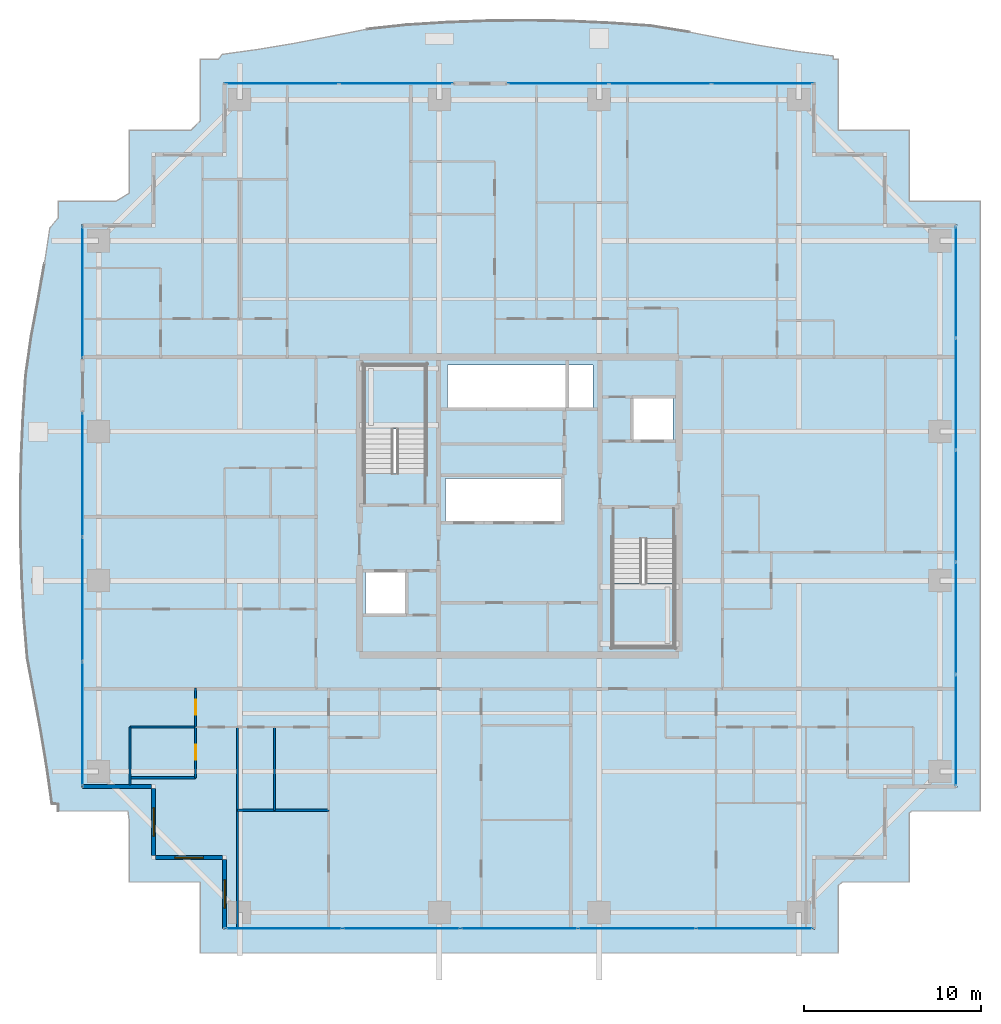
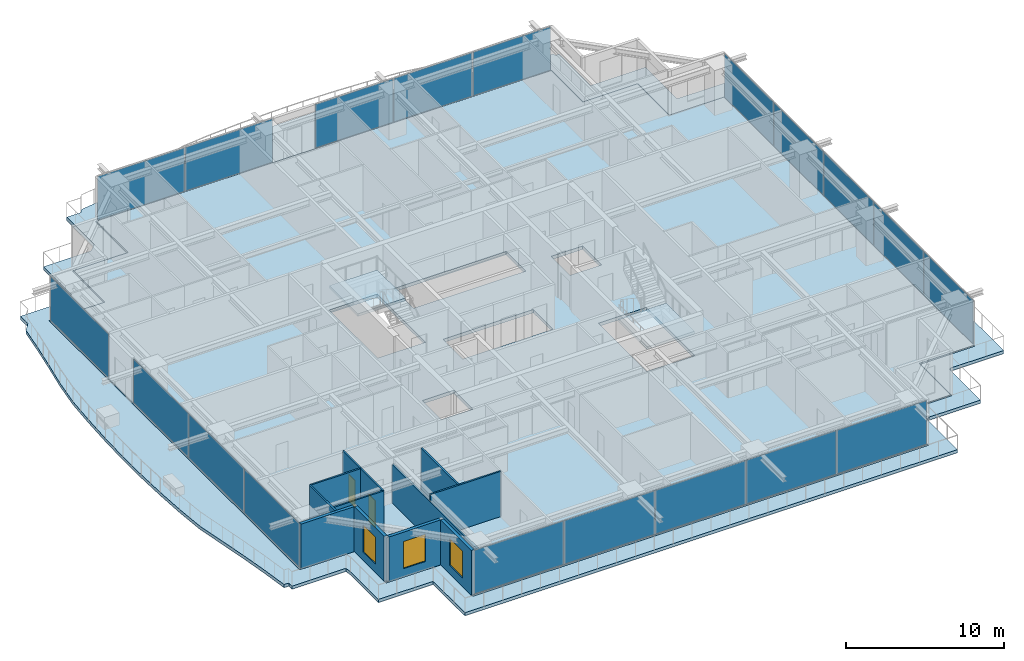
# One storey, part 25 of 37: 19 plates, 12 walls, 4 slabs, 3 windows, 2 doors, 5 openings, 8 elements without a shape of their own.
"""IFC4 building model written with IfcOpenShell, lengths in metres."""

from ifc_helpers import new_model, si_unit, direction, frame, frame_2d, origin, origin_2d, place, context, subcontext, project, spatial, polyline, rectangle, outline, extrude, source, transform, mapped, material, layer, layer_set, type_object, element, fill, aggregate, save


model = new_model("IFC4")

# Units and contexts
model_context = context("Model", 3, precision=1e-05, world=origin(), true_north=direction((0.0, 1.0)))
body_context = subcontext(model_context, "Body", "Model", "MODEL_VIEW")
ifc_project = project(units=[si_unit("LENGTHUNIT", "METRE"), si_unit("AREAUNIT", "SQUARE_METRE"), si_unit("VOLUMEUNIT", "CUBIC_METRE"), si_unit("PLANEANGLEUNIT", "RADIAN"), si_unit("MASSUNIT", "GRAM", prefix="KILO")], contexts=[model_context])

# Site, building, storey
site_placement = place(None, origin())
site = spatial("IfcSite", under=ifc_project, at=site_placement, CompositionType="ELEMENT")
building_placement = place(site_placement, origin())
building = spatial("IfcBuilding", under=site, at=building_placement, Name="Serunith Strait Residences", CompositionType="ELEMENT")
storey_placement = place(building_placement, frame((0.0, 0.0, 153.89990234375)))
storey = spatial("IfcBuildingStorey", under=building, at=storey_placement, Name="L38", CompositionType="ELEMENT", Elevation=153.89990234375)

# Slab
ifc_material_1 = material(Name="Concrete C50/60", Category="concrete")
ifc_layer_1 = layer(ifc_material_1, 0.239990234375, Name="Concrete C50/60")
ifc_layer_set_1 = layer_set([ifc_layer_1], Name="Concrete C50/60")
slab_type_1 = type_object("IfcSlabType", Name="SLB-BALC-240", PredefinedType="FLOOR", material=ifc_layer_set_1)
slab_1_placement = place(storey_placement, frame((0.0, 0.0, -0.289794921875)))
element("IfcSlab", 1, at=slab_1_placement, inside=storey, type_object=slab_type_1, Name="L38 Planted Vertical-Forest Balcony Slab", PredefinedType="FLOOR", context=body_context, shape_type="SweptSolid", body=[
    extrude(outline(polyline([(6.419921875, 8.02001953125), (6.419921875, 8.413330078125), (6.072998046875, 8.433349609375), (5.79248046875, 10.43603515625), (5.458740234375, 12.45947265625), (5.081298828125, 14.5205078125), (4.684326171875, 16.637451171875), (4.4951171875, 18.86669921875), (4.375, 21.13671875), (4.306396484375, 23.429931640625), (4.2958984375, 25.733154296875), (4.34423828125, 28.0322265625), (4.44677734375, 30.3134765625), (4.593994140625, 32.56591796875), (4.900390625, 34.7392578125), (5.29150390625, 36.82568359375), (5.6484375, 38.86572265625), (5.954833984375, 40.877197265625), (6.419921875, 41.42431640625), (6.419921875, 42.3798828125), (9.683349609375, 42.3798828125), (10.419921875, 42.821533203125), (10.419921875, 46.3798828125), (13.89599609375, 46.3798828125), (14.419921875, 46.88330078125), (14.419921875, 50.3798828125), (15.455810546875, 50.3798828125), (15.648193359375, 50.648681640625), (17.6455078125, 50.926025390625), (19.660400390625, 51.26318359375), (21.711181640625, 51.6533203125), (23.818603515625, 52.072998046875), (26.03955078125, 52.312255859375), (28.315673828125, 52.4541015625), (30.619384765625, 52.541259765625), (32.9365234375, 52.564697265625), (35.250732421875, 52.521728515625), (37.546142578125, 52.4169921875), (39.8095703125, 52.26123046875), (41.976318359375, 51.9091796875), (44.057373046875, 51.498291015625), (46.09033203125, 51.128173828125), (48.095458984375, 50.81494140625), (50.089111328125, 50.561279296875), (50.08740234375, 50.3798828125), (50.3798828125, 50.3798828125), (50.3798828125, 46.3798828125), (54.3798828125, 46.3798828125), (54.3798828125, 42.3798828125), (58.3798828125, 42.3798828125), (58.3798828125, 8.02001953125), (54.51513671875, 8.02001953125), (54.3798828125, 7.921875), (54.3798828125, 4.02001953125), (50.601806640625, 4.02001953125), (50.3798828125, 3.8408203125), (50.3798828125, 0.02001953125), (14.419921875, 0.02001953125), (14.419921875, 4.02001953125), (10.419921875, 4.02001953125), (10.419921875, 7.54443359375), (10.349365234375, 8.02001953125), (6.419921875, 8.02001953125)]), holes=[polyline([(49.054931640625, 1.344970703125), (49.054931640625, 5.344970703125), (53.054931640625, 5.344970703125), (53.054931640625, 9.344970703125), (57.054931640625, 9.344970703125), (57.054931640625, 41.054931640625), (53.054931640625, 41.054931640625), (53.054931640625, 45.054931640625), (49.054931640625, 45.054931640625), (49.054931640625, 49.054931640625), (15.7451171875, 49.054931640625), (15.7451171875, 45.054931640625), (11.7451171875, 45.054931640625), (11.7451171875, 41.054931640625), (7.7451171875, 41.054931640625), (7.7451171875, 9.344970703125), (11.7451171875, 9.344970703125), (11.7451171875, 5.344970703125), (15.7451171875, 5.344970703125), (15.7451171875, 1.344970703125), (49.054931640625, 1.344970703125)])]), origin(), (0.0, 0.0, 1.0), 0.239990234375),
])

# Stair, slab
stair_type_1 = type_object("IfcStairType", Name="STR-CORE-1", PredefinedType="HALF_TURN_STAIR", material=ifc_material_1)
stair_1_placement = place(storey_placement, origin())
stair_1 = element("IfcStair", 2, at=stair_1_placement, inside=storey, type_object=stair_type_1, Name="L38 Protected Escape Stair ST-1", PredefinedType="HALF_TURN_STAIR")
ifc_layer_2 = layer(ifc_material_1, 0.199951171875, Name="Concrete C50/60")
ifc_layer_set_2 = layer_set([ifc_layer_2], Name="Concrete C50/60")
slab_type_2 = type_object("IfcSlabType", Name="SLB-LAND-200", PredefinedType="LANDING", material=ifc_layer_set_2)
slab_2_placement = place(storey_placement, frame((0.0, 0.0, 1.675048828125)))
slab_2 = element("IfcSlab", 3, at=slab_2_placement, type_object=slab_type_2, Name="ST-1 landing 1", PredefinedType="LANDING", context=body_context, shape_type="SweptSolid", body=[
    extrude(outline(polyline([(27.14990234375, 29.550048828125), (27.14990234375, 33.14990234375), (23.64990234375, 33.14990234375), (23.64990234375, 29.550048828125), (27.14990234375, 29.550048828125)])), origin(), (0.0, 0.0, 1.0), 0.199951171875),
])
aggregate(stair_1, [slab_2])

stair_type_2 = type_object("IfcStairType", Name="STR-CORE-2", PredefinedType="HALF_TURN_STAIR", material=ifc_material_1)
stair_2_placement = place(storey_placement, origin())
stair_2 = element("IfcStair", 4, at=stair_2_placement, inside=storey, type_object=stair_type_2, Name="L38 Protected Escape Stair ST-2", PredefinedType="HALF_TURN_STAIR")
slab_3_placement = place(storey_placement, frame((0.0, 0.0, 1.675048828125)))
slab_3 = element("IfcSlab", 5, at=slab_3_placement, type_object=slab_type_2, Name="ST-2 landing 1", PredefinedType="LANDING", context=body_context, shape_type="SweptSolid", body=[
    extrude(outline(polyline([(37.64990234375, 20.85009765625), (37.64990234375, 17.25), (41.14990234375, 17.25), (41.14990234375, 20.85009765625), (37.64990234375, 20.85009765625)])), origin(), (0.0, 0.0, 1.0), 0.199951171875),
])
aggregate(stair_2, [slab_3])

# Slab
ifc_material_2 = material(Name="Concrete C60/75", Category="concrete")
ifc_layer_3 = layer(ifc_material_2, 0.260009765625, Name="Concrete C60/75")
ifc_layer_set_3 = layer_set([ifc_layer_3], Name="Concrete C60/75")
slab_type_3 = type_object("IfcSlabType", Name="SLB-TWR-260-Z2", PredefinedType="FLOOR", material=ifc_layer_set_3)
slab_4_placement = place(storey_placement, frame((0.0, 0.0, -0.260009765625)))
element("IfcSlab", 6, at=slab_4_placement, inside=storey, type_object=slab_type_3, Name="L38 Structural Floor Plate", PredefinedType="FLOOR", context=body_context, shape_type="SweptSolid", body=[
    extrude(outline(polyline([(15.800048828125, 5.39990234375), (11.800048828125, 5.39990234375), (11.800048828125, 9.39990234375), (7.800048828125, 9.39990234375), (7.800048828125, 41.0), (11.800048828125, 41.0), (11.800048828125, 45.0), (15.800048828125, 45.0), (15.800048828125, 49.0), (49.0, 49.0), (49.0, 45.0), (53.0, 45.0), (53.0, 41.0), (57.0, 41.0), (57.0, 9.39990234375), (53.0, 9.39990234375), (53.0, 5.39990234375), (49.0, 5.39990234375), (49.0, 1.39990234375), (15.800048828125, 1.39990234375), (15.800048828125, 5.39990234375)]), holes=[polyline([(41.14990234375, 23.3701171875), (37.64990234375, 23.3701171875), (37.64990234375, 17.25), (41.14990234375, 17.25), (41.14990234375, 23.3701171875)]), polyline([(38.75, 31.25), (38.75, 28.85009765625), (41.050048828125, 28.85009765625), (41.050048828125, 31.25), (38.75, 31.25)]), polyline([(36.550048828125, 33.14990234375), (28.35009765625, 33.14990234375), (28.35009765625, 30.64990234375), (36.550048828125, 30.64990234375), (36.550048828125, 33.14990234375)]), polyline([(34.85009765625, 26.75), (28.25, 26.75), (28.25, 24.25), (34.85009765625, 24.25), (34.85009765625, 26.75)]), polyline([(23.64990234375, 33.14990234375), (23.64990234375, 27.030029296875), (27.14990234375, 27.030029296875), (27.14990234375, 33.14990234375), (23.64990234375, 33.14990234375)]), polyline([(26.050048828125, 21.550048828125), (23.75, 21.550048828125), (23.75, 19.14990234375), (26.050048828125, 19.14990234375), (26.050048828125, 21.550048828125)])]), origin(), (0.0, 0.0, 1.0), 0.260009765625),
])

# Curtain wall, plates
ifc_material_3 = material(Name="Pale-Champagne Anodised Aluminium", Category="aluminium")
ifc_layer_4 = layer(ifc_material_3, 0.199951171875, Name="Pale-Champagne Anodised Aluminium")
ifc_layer_set_4 = layer_set([ifc_layer_4], Name="Pale-Champagne Anodised Aluminium")
curtain_wall_type = type_object("IfcCurtainWallType", Name="CW-SYS2", PredefinedType="NOTDEFINED", material=ifc_layer_set_4)
curtain_wall_1_placement = place(storey_placement, origin())
curtain_wall_1 = element("IfcCurtainWall", 7, at=curtain_wall_1_placement, inside=storey, type_object=curtain_wall_type, Name="L38 S Unitised Fritted Curtain Wall", PredefinedType="NOTDEFINED")
ifc_material_4 = material(Name="Diagonal-Frit Operable Low-E Glazing 30mm", Category="glass")
ifc_layer_5 = layer(ifc_material_4, 0.030029296875, Name="Diagonal-Frit Operable Low-E Glazing 30mm")
ifc_layer_set_5 = layer_set([ifc_layer_5], Name="Diagonal-Frit Operable Low-E Glazing 30mm")
plate_type = type_object("IfcPlateType", Name="CW-SYS2-PNL", PredefinedType="CURTAIN_PANEL", material=ifc_layer_set_5)
shared_shape_1 = source(origin(), body_context, "Body", "SweptSolid", [
    extrude(rectangle(XDim=6.534912109375, YDim=0.030029296875, at=origin_2d()), origin(), (0.0, 0.0, 1.0), 3.35498046875),
])
plate_1_placement = place(storey_placement, frame((19.137451171875, 1.39990234375, 0.06005859375), z_axis=(0.0, 0.0, 1.0), x_axis=(1.0, 0.0, 0.0)))
plate_1 = element("IfcPlate", 8, at=plate_1_placement, type_object=plate_type, Name="CW-2 panel 1.1", PredefinedType="CURTAIN_PANEL", context=body_context, shape_type="MappedRepresentation", body=[
    mapped(shared_shape_1, transform((0.0, 0.0, 0.0), scale=1.0)),
])
plate_2_placement = place(storey_placement, frame((45.66259765625, 1.39990234375, 0.06005859375), z_axis=(0.0, 0.0, 1.0), x_axis=(1.0, 0.0, 0.0)))
plate_2 = element("IfcPlate", 9, at=plate_2_placement, type_object=plate_type, Name="CW-2 panel 5.1", PredefinedType="CURTAIN_PANEL", context=body_context, shape_type="MappedRepresentation", body=[
    mapped(shared_shape_1, transform((0.0, 0.0, 0.0), scale=1.0)),
])
shared_shape_2 = source(origin(), body_context, "Body", "SweptSolid", [
    extrude(rectangle(XDim=6.570068359375, YDim=0.030029296875, at=origin_2d()), origin(), (0.0, 0.0, 1.0), 3.35498046875),
])
plate_3_placement = place(storey_placement, frame((25.760009765625, 1.39990234375, 0.06005859375), z_axis=(0.0, 0.0, 1.0), x_axis=(1.0, 0.0, 0.0)))
plate_3 = element("IfcPlate", 10, at=plate_3_placement, type_object=plate_type, Name="CW-2 panel 2.1", PredefinedType="CURTAIN_PANEL", context=body_context, shape_type="MappedRepresentation", body=[
    mapped(shared_shape_2, transform((0.0, 0.0, 0.0), scale=1.0)),
])
plate_4_placement = place(storey_placement, frame((32.39990234375, 1.39990234375, 0.06005859375), z_axis=(0.0, 0.0, 1.0), x_axis=(1.0, 0.0, 0.0)))
plate_4 = element("IfcPlate", 11, at=plate_4_placement, type_object=plate_type, Name="CW-2 panel 3.1", PredefinedType="CURTAIN_PANEL", context=body_context, shape_type="MappedRepresentation", body=[
    mapped(shared_shape_2, transform((0.0, 0.0, 0.0), scale=1.0)),
])
plate_5_placement = place(storey_placement, frame((39.0400390625, 1.39990234375, 0.06005859375), z_axis=(0.0, 0.0, 1.0), x_axis=(1.0, 0.0, 0.0)))
plate_5 = element("IfcPlate", 12, at=plate_5_placement, type_object=plate_type, Name="CW-2 panel 4.1", PredefinedType="CURTAIN_PANEL", context=body_context, shape_type="MappedRepresentation", body=[
    mapped(shared_shape_2, transform((0.0, 0.0, 0.0), scale=1.0)),
])
aggregate(curtain_wall_1, [plate_1, plate_3, plate_4, plate_5, plate_2])

curtain_wall_2_placement = place(storey_placement, origin())
curtain_wall_2 = element("IfcCurtainWall", 13, at=curtain_wall_2_placement, inside=storey, type_object=curtain_wall_type, Name="L38 E Unitised Fritted Curtain Wall", PredefinedType="NOTDEFINED")
shared_shape_3 = source(origin(), body_context, "Body", "SweptSolid", [
    extrude(rectangle(XDim=6.215087890625, YDim=0.030029296875, at=origin_2d()), origin(), (0.0, 0.0, 1.0), 3.35498046875),
])
plate_6_placement = place(storey_placement, frame((57.0, 12.577392578125, 0.06005859375), z_axis=(0.0, 0.0, 1.0), x_axis=(0.0, 1.0, 0.0)))
plate_6 = element("IfcPlate", 14, at=plate_6_placement, type_object=plate_type, Name="CW-2 panel 1.1", PredefinedType="CURTAIN_PANEL", context=body_context, shape_type="MappedRepresentation", body=[
    mapped(shared_shape_3, transform((0.0, 0.0, 0.0), scale=1.0)),
])
plate_7_placement = place(storey_placement, frame((57.0, 37.822509765625, 0.06005859375), z_axis=(0.0, 0.0, 1.0), x_axis=(0.0, 1.0, 0.0)))
plate_7 = element("IfcPlate", 15, at=plate_7_placement, type_object=plate_type, Name="CW-2 panel 5.1", PredefinedType="CURTAIN_PANEL", context=body_context, shape_type="MappedRepresentation", body=[
    mapped(shared_shape_3, transform((0.0, 0.0, 0.0), scale=1.0)),
])
shared_shape_4 = source(origin(), body_context, "Body", "SweptSolid", [
    extrude(rectangle(XDim=6.25, YDim=0.030029296875, at=origin_2d()), origin(), (0.0, 0.0, 1.0), 3.35498046875),
])
plate_8_placement = place(storey_placement, frame((57.0, 18.8798828125, 0.06005859375), z_axis=(0.0, 0.0, 1.0), x_axis=(0.0, 1.0, 0.0)))
plate_8 = element("IfcPlate", 16, at=plate_8_placement, type_object=plate_type, Name="CW-2 panel 2.1", PredefinedType="CURTAIN_PANEL", context=body_context, shape_type="MappedRepresentation", body=[
    mapped(shared_shape_4, transform((0.0, 0.0, 0.0), scale=1.0)),
])
plate_9_placement = place(storey_placement, frame((57.0, 25.199951171875, 0.06005859375), z_axis=(0.0, 0.0, 1.0), x_axis=(0.0, 1.0, 0.0)))
plate_9 = element("IfcPlate", 17, at=plate_9_placement, type_object=plate_type, Name="CW-2 panel 3.1", PredefinedType="CURTAIN_PANEL", context=body_context, shape_type="MappedRepresentation", body=[
    mapped(shared_shape_4, transform((0.0, 0.0, 0.0), scale=1.0)),
])
plate_10_placement = place(storey_placement, frame((57.0, 31.52001953125, 0.06005859375), z_axis=(0.0, 0.0, 1.0), x_axis=(0.0, 1.0, 0.0)))
plate_10 = element("IfcPlate", 18, at=plate_10_placement, type_object=plate_type, Name="CW-2 panel 4.1", PredefinedType="CURTAIN_PANEL", context=body_context, shape_type="MappedRepresentation", body=[
    mapped(shared_shape_4, transform((0.0, 0.0, 0.0), scale=1.0)),
])
aggregate(curtain_wall_2, [plate_6, plate_8, plate_9, plate_10, plate_7])

curtain_wall_3_placement = place(storey_placement, origin())
curtain_wall_3 = element("IfcCurtainWall", 19, at=curtain_wall_3_placement, inside=storey, type_object=curtain_wall_type, Name="L38 N Unitised Fritted Curtain Wall", PredefinedType="NOTDEFINED")
shared_shape_5 = source(origin(), body_context, "Body", "SweptSolid", [
    extrude(rectangle(XDim=5.66162109375, YDim=0.030029296875, at=origin_2d()), origin(), (0.0, 0.0, 1.0), 3.35498046875),
])
plate_11_placement = place(storey_placement, frame((46.09912109375, 49.0, 0.06005859375), z_axis=(0.0, 0.0, 1.0), x_axis=(-1.0, 0.0, 0.0)))
plate_11 = element("IfcPlate", 20, at=plate_11_placement, type_object=plate_type, Name="CW-2 panel 1.1", PredefinedType="CURTAIN_PANEL", context=body_context, shape_type="MappedRepresentation", body=[
    mapped(shared_shape_5, transform((0.0, 0.0, 0.0), scale=1.0)),
])
plate_12_placement = place(storey_placement, frame((34.600830078125, 49.0, 0.06005859375), z_axis=(0.0, 0.0, 1.0), x_axis=(-1.0, 0.0, 0.0)))
plate_12 = element("IfcPlate", 21, at=plate_12_placement, type_object=plate_type, Name="CW-2 panel 3.1", PredefinedType="CURTAIN_PANEL", context=body_context, shape_type="MappedRepresentation", body=[
    mapped(shared_shape_5, transform((0.0, 0.0, 0.0), scale=1.0)),
])
shared_shape_6 = source(origin(), body_context, "Body", "SweptSolid", [
    extrude(rectangle(XDim=5.69677734375, YDim=0.030029296875, at=origin_2d()), origin(), (0.0, 0.0, 1.0), 3.35498046875),
])
plate_13_placement = place(storey_placement, frame((40.35009765625, 49.0, 0.06005859375), z_axis=(0.0, 0.0, 1.0), x_axis=(-1.0, 0.0, 0.0)))
plate_13 = element("IfcPlate", 22, at=plate_13_placement, type_object=plate_type, Name="CW-2 panel 2.1", PredefinedType="CURTAIN_PANEL", context=body_context, shape_type="MappedRepresentation", body=[
    mapped(shared_shape_6, transform((0.0, 0.0, 0.0), scale=1.0)),
])
aggregate(curtain_wall_3, [plate_11, plate_13, plate_12])

curtain_wall_4_placement = place(storey_placement, origin())
curtain_wall_4 = element("IfcCurtainWall", 23, at=curtain_wall_4_placement, inside=storey, type_object=curtain_wall_type, Name="L38 N Unitised Fritted Curtain Wall", PredefinedType="NOTDEFINED")
shared_shape_7 = source(origin(), body_context, "Body", "SweptSolid", [
    extrude(rectangle(XDim=6.344970703125, YDim=0.030029296875, at=origin_2d()), origin(), (0.0, 0.0, 1.0), 3.35498046875),
])
plate_14_placement = place(storey_placement, frame((25.45751953125, 49.0, 0.06005859375), z_axis=(0.0, 0.0, 1.0), x_axis=(-1.0, 0.0, 0.0)))
plate_14 = element("IfcPlate", 24, at=plate_14_placement, type_object=plate_type, Name="CW-2 panel 1.1", PredefinedType="CURTAIN_PANEL", context=body_context, shape_type="MappedRepresentation", body=[
    mapped(shared_shape_7, transform((0.0, 0.0, 0.0), scale=1.0)),
])
plate_15_placement = place(storey_placement, frame((19.04248046875, 49.0, 0.06005859375), z_axis=(0.0, 0.0, 1.0), x_axis=(-1.0, 0.0, 0.0)))
plate_15 = element("IfcPlate", 25, at=plate_15_placement, type_object=plate_type, Name="CW-2 panel 2.1", PredefinedType="CURTAIN_PANEL", context=body_context, shape_type="MappedRepresentation", body=[
    mapped(shared_shape_7, transform((0.0, 0.0, 0.0), scale=1.0)),
])
aggregate(curtain_wall_4, [plate_14, plate_15])

# Curtain wall, plate
curtain_wall_5_placement = place(storey_placement, origin())
curtain_wall_5 = element("IfcCurtainWall", 26, at=curtain_wall_5_placement, inside=storey, type_object=curtain_wall_type, Name="L38 W Unitised Fritted Curtain Wall", PredefinedType="NOTDEFINED")
shared_shape_8 = source(origin(), body_context, "Body", "SweptSolid", [
    extrude(rectangle(XDim=7.360107421875, YDim=0.030029296875, at=origin_2d()), origin(), (0.0, 0.0, 1.0), 3.35498046875),
])
plate_16_placement = place(storey_placement, frame((7.800048828125, 37.25, 0.06005859375), z_axis=(0.0, 0.0, 1.0), x_axis=(0.0, -1.0, 0.0)))
plate_16 = element("IfcPlate", 27, at=plate_16_placement, type_object=plate_type, Name="CW-2 panel 1.1", PredefinedType="CURTAIN_PANEL", context=body_context, shape_type="MappedRepresentation", body=[
    mapped(shared_shape_8, transform((0.0, 0.0, 0.0), scale=1.0)),
])
aggregate(curtain_wall_5, [plate_16])

# Curtain wall, plates
curtain_wall_6_placement = place(storey_placement, origin())
curtain_wall_6 = element("IfcCurtainWall", 28, at=curtain_wall_6_placement, inside=storey, type_object=curtain_wall_type, Name="L38 W Unitised Fritted Curtain Wall", PredefinedType="NOTDEFINED")
shared_shape_9 = source(origin(), body_context, "Body", "SweptSolid", [
    extrude(rectangle(XDim=6.92822265625, YDim=0.030029296875, at=origin_2d()), origin(), (0.0, 0.0, 1.0), 3.35498046875),
])
plate_17_placement = place(storey_placement, frame((7.800048828125, 26.9658203125, 0.06005859375), z_axis=(0.0, 0.0, 1.0), x_axis=(0.0, -1.0, 0.0)))
plate_17 = element("IfcPlate", 29, at=plate_17_placement, type_object=plate_type, Name="CW-2 panel 1.1", PredefinedType="CURTAIN_PANEL", context=body_context, shape_type="MappedRepresentation", body=[
    mapped(shared_shape_9, transform((0.0, 0.0, 0.0), scale=1.0)),
])
plate_18_placement = place(storey_placement, frame((7.800048828125, 12.93408203125, 0.06005859375), z_axis=(0.0, 0.0, 1.0), x_axis=(0.0, -1.0, 0.0)))
plate_18 = element("IfcPlate", 30, at=plate_18_placement, type_object=plate_type, Name="CW-2 panel 3.1", PredefinedType="CURTAIN_PANEL", context=body_context, shape_type="MappedRepresentation", body=[
    mapped(shared_shape_9, transform((0.0, 0.0, 0.0), scale=1.0)),
])
shared_shape_10 = source(origin(), body_context, "Body", "SweptSolid", [
    extrude(rectangle(XDim=6.96337890625, YDim=0.030029296875, at=origin_2d()), origin(), (0.0, 0.0, 1.0), 3.35498046875),
])
plate_19_placement = place(storey_placement, frame((7.800048828125, 19.949951171875, 0.06005859375), z_axis=(0.0, 0.0, 1.0), x_axis=(0.0, -1.0, 0.0)))
plate_19 = element("IfcPlate", 31, at=plate_19_placement, type_object=plate_type, Name="CW-2 panel 2.1", PredefinedType="CURTAIN_PANEL", context=body_context, shape_type="MappedRepresentation", body=[
    mapped(shared_shape_10, transform((0.0, 0.0, 0.0), scale=1.0)),
])
aggregate(curtain_wall_6, [plate_17, plate_19, plate_18])

# Wall
ifc_material_5 = material(Name="Pale-Champagne Aluminium Insulated Panel", Category="aluminium")
ifc_layer_6 = layer(ifc_material_5, 0.219970703125, Name="Pale-Champagne Aluminium Insulated Panel")
ifc_layer_set_6 = layer_set([ifc_layer_6], Name="Pale-Champagne Aluminium Insulated Panel")
wall_type_1 = type_object("IfcWallType", Name="EW-ALUM-220", PredefinedType="ELEMENTEDWALL", material=ifc_layer_set_6)
wall_1_placement = place(storey_placement, frame((7.800048828125, 9.39990234375, 0.0), z_axis=(0.0, 0.0, 1.0), x_axis=(1.0, 0.0, 0.0)))
element("IfcWall", 32, at=wall_1_placement, inside=storey, type_object=wall_type_1, Name="L38 Girih Serrated Corner Wall 17", PredefinedType="ELEMENTEDWALL", context=body_context, shape_type="SweptSolid", body=[
    extrude(rectangle(XDim=3.889892578125, YDim=0.219970703125, at=frame_2d((1.94482421875, 0.0))), origin(), (0.0, 0.0, 1.0), 3.47509765625),
])

# Wall, opening, window
wall_2_placement = place(storey_placement, frame((11.800048828125, 9.2900390625, 0.0), z_axis=(0.0, 0.0, 1.0), x_axis=(0.0, -1.0, 0.0)))
wall_2 = element("IfcWall", 33, at=wall_2_placement, inside=storey, type_object=wall_type_1, Name="L38 Girih Serrated Corner Wall 18", PredefinedType="ELEMENTEDWALL", context=body_context, shape_type="SweptSolid", body=[
    extrude(rectangle(XDim=3.780029296875, YDim=0.219970703125, at=frame_2d((1.89013671875, 0.0))), origin(), (0.0, 0.0, 1.0), 3.47509765625),
])
opening_1_placement = place(wall_2_placement, frame((1.090087890625, 0.0, 0.64990234375)))
opening_1 = element("IfcOpeningElement", 34, at=opening_1_placement, cuts=wall_2, Name="Opening W-02", PredefinedType="OPENING", context=body_context, shape_type="SweptSolid", body=[
    extrude(rectangle(XDim=1.60009765625, YDim=2.10009765625, at=frame_2d((0.800048828125, 1.050048828125))), frame((0.0, 0.1201171875, 0.0), z_axis=(0.0, -1.0, 0.0), x_axis=(1.0, 0.0, 0.0)), (0.0, 0.0, 1.0), 0.239990234375),
])
ifc_material_6 = material(Name="Ceramic-Fritted Operable Aluminium Window Glass", Category="aluminium")
window_type = type_object("IfcWindowType", Name="WIN-C2", PartitioningType="DOUBLE_PANEL_VERTICAL", PredefinedType="WINDOW", material=ifc_material_6)
shared_shape_11 = source(origin(), body_context, "Body", "SweptSolid", [
    extrude(rectangle(XDim=1.60009765625, YDim=2.10009765625, at=frame_2d((0.800048828125, 1.050048828125))), frame((0.0, 0.030029296875, 0.0), z_axis=(0.0, -1.0, 0.0), x_axis=(1.0, 0.0, 0.0)), (0.0, 0.0, 1.0), 0.06005859375),
])
window_1_placement = place(opening_1_placement, origin())
window_1 = element("IfcWindow", 35, at=window_1_placement, inside=storey, type_object=window_type, Name="L38 Corner Operable Fritted Window 18", OverallHeight=2.10009765625, OverallWidth=1.60009765625, PartitioningType="SINGLE_PANEL", PredefinedType="WINDOW", context=body_context, shape_type="MappedRepresentation", body=[
    mapped(shared_shape_11, transform((0.0, 0.0, 0.0), scale=1.0)),
])
fill(opening_1, window_1)

wall_3_placement = place(storey_placement, frame((11.909912109375, 5.39990234375, 0.0), z_axis=(0.0, 0.0, 1.0), x_axis=(1.0, 0.0, 0.0)))
wall_3 = element("IfcWall", 36, at=wall_3_placement, inside=storey, type_object=wall_type_1, Name="L38 Girih Serrated Corner Wall 19", PredefinedType="ELEMENTEDWALL", context=body_context, shape_type="SweptSolid", body=[
    extrude(rectangle(XDim=3.780029296875, YDim=0.219970703125, at=frame_2d((1.89013671875, 0.0))), origin(), (0.0, 0.0, 1.0), 3.47509765625),
])
opening_2_placement = place(wall_3_placement, frame((1.090087890625, 0.0, 0.64990234375)))
opening_2 = element("IfcOpeningElement", 37, at=opening_2_placement, cuts=wall_3, Name="Opening W-02", PredefinedType="OPENING", context=body_context, shape_type="SweptSolid", body=[
    extrude(rectangle(XDim=1.60009765625, YDim=2.10009765625, at=frame_2d((0.800048828125, 1.050048828125))), frame((0.0, 0.1201171875, 0.0), z_axis=(0.0, -1.0, 0.0), x_axis=(1.0, 0.0, 0.0)), (0.0, 0.0, 1.0), 0.239990234375),
])
window_2_placement = place(opening_2_placement, origin())
window_2 = element("IfcWindow", 38, at=window_2_placement, inside=storey, type_object=window_type, Name="L38 Corner Operable Fritted Window 19", OverallHeight=2.10009765625, OverallWidth=1.60009765625, PartitioningType="SINGLE_PANEL", PredefinedType="WINDOW", context=body_context, shape_type="MappedRepresentation", body=[
    mapped(shared_shape_11, transform((0.0, 0.0, 0.0), scale=1.0)),
])
fill(opening_2, window_2)

wall_4_placement = place(storey_placement, frame((15.800048828125, 5.2900390625, 0.0), z_axis=(0.0, 0.0, 1.0), x_axis=(0.0, -1.0, 0.0)))
wall_4 = element("IfcWall", 39, at=wall_4_placement, inside=storey, type_object=wall_type_1, Name="L38 Girih Serrated Corner Wall 20", PredefinedType="ELEMENTEDWALL", context=body_context, shape_type="SweptSolid", body=[
    extrude(rectangle(XDim=3.89013671875, YDim=0.219970703125, at=frame_2d((1.945068359375, 0.0))), origin(), (0.0, 0.0, 1.0), 3.47509765625),
])
opening_3_placement = place(wall_4_placement, frame((1.14501953125, 0.0, 0.64990234375)))
opening_3 = element("IfcOpeningElement", 40, at=opening_3_placement, cuts=wall_4, Name="Opening W-02", PredefinedType="OPENING", context=body_context, shape_type="SweptSolid", body=[
    extrude(rectangle(XDim=1.60009765625, YDim=2.10009765625, at=frame_2d((0.800048828125, 1.050048828125))), frame((0.0, 0.1201171875, 0.0), z_axis=(0.0, -1.0, 0.0), x_axis=(1.0, 0.0, 0.0)), (0.0, 0.0, 1.0), 0.239990234375),
])
window_3_placement = place(opening_3_placement, origin())
window_3 = element("IfcWindow", 41, at=window_3_placement, inside=storey, type_object=window_type, Name="L38 Corner Operable Fritted Window 20", OverallHeight=2.10009765625, OverallWidth=1.60009765625, PartitioningType="SINGLE_PANEL", PredefinedType="WINDOW", context=body_context, shape_type="MappedRepresentation", body=[
    mapped(shared_shape_11, transform((0.0, 0.0, 0.0), scale=1.0)),
])
fill(opening_3, window_3)

# Walls
ifc_material_7 = material(Name="Lightweight steel-stud gypsum partition", Category="steel")
ifc_layer_7 = layer(ifc_material_7, 0.1201171875, Name="Lightweight steel-stud gypsum partition")
ifc_layer_set_7 = layer_set([ifc_layer_7], Name="Lightweight steel-stud gypsum partition")
wall_type_2 = type_object("IfcWallType", Name="IW-PART-120", PredefinedType="PARTITIONING", material=ifc_layer_set_7)
wall_5_placement = place(storey_placement, frame((16.52001953125, 8.06298828125, 0.0), z_axis=(0.0, 0.0, 1.0), x_axis=(1.0, 0.0, 0.0)))
element("IfcWall", 42, at=wall_5_placement, inside=storey, type_object=wall_type_2, Name="L38 Partition Wall 037", PredefinedType="PARTITIONING", context=body_context, shape_type="SweptSolid", body=[
    extrude(rectangle(XDim=5.14990234375, YDim=0.1201171875, at=frame_2d((2.574951171875, 0.0))), origin(), (0.0, 0.0, 1.0), 3.489990234375),
])
wall_6_placement = place(storey_placement, frame((16.52001953125, 1.4951171875, 0.0), z_axis=(0.0, 0.0, 1.0), x_axis=(0.0, 1.0, 0.0)))
element("IfcWall", 43, at=wall_6_placement, inside=storey, type_object=wall_type_2, Name="L38 Partition Wall 038", PredefinedType="PARTITIONING", context=body_context, shape_type="SweptSolid", body=[
    extrude(rectangle(XDim=11.2548828125, YDim=0.1201171875, at=frame_2d((5.62744140625, 0.0))), origin(), (0.0, 0.0, 1.0), 2.97216796875),
])
wall_7_placement = place(storey_placement, frame((18.6201171875, 8.06298828125, 0.0), z_axis=(0.0, 0.0, 1.0), x_axis=(0.0, 1.0, 0.0)))
element("IfcWall", 44, at=wall_7_placement, inside=storey, type_object=wall_type_2, Name="L38 Partition Wall 039", PredefinedType="PARTITIONING", context=body_context, shape_type="SweptSolid", body=[
    extrude(rectangle(XDim=4.68701171875, YDim=0.1201171875, at=frame_2d((2.343505859375, 0.0))), origin(), (0.0, 0.0, 1.0), 3.489990234375),
])
wall_8_placement = place(storey_placement, frame((10.469970703125, 9.89501953125, 0.0), z_axis=(0.0, 0.0, 1.0), x_axis=(1.0, 0.0, 0.0)))
element("IfcWall", 45, at=wall_8_placement, inside=storey, type_object=wall_type_2, Name="L38 Partition Wall 043", PredefinedType="PARTITIONING", context=body_context, shape_type="SweptSolid", body=[
    extrude(rectangle(XDim=3.699951171875, YDim=0.1201171875, at=frame_2d((1.85009765625, 0.0))), origin(), (0.0, 0.0, 1.0), 3.489990234375),
])
wall_9_placement = place(storey_placement, frame((10.469970703125, 9.4951171875, 0.0), z_axis=(0.0, 0.0, 1.0), x_axis=(0.0, 1.0, 0.0)))
element("IfcWall", 46, at=wall_9_placement, inside=storey, type_object=wall_type_2, Name="L38 Partition Wall 044", PredefinedType="PARTITIONING", context=body_context, shape_type="SweptSolid", body=[
    extrude(rectangle(XDim=3.2548828125, YDim=0.1201171875, at=frame_2d((1.62744140625, 0.0))), origin(), (0.0, 0.0, 1.0), 3.489990234375),
])
wall_10_placement = place(storey_placement, frame((10.469970703125, 12.75, 0.0), z_axis=(0.0, 0.0, 1.0), x_axis=(1.0, 0.0, 0.0)))
element("IfcWall", 47, at=wall_10_placement, inside=storey, type_object=wall_type_2, Name="L38 Partition Wall 045", PredefinedType="PARTITIONING", context=body_context, shape_type="SweptSolid", body=[
    extrude(rectangle(XDim=3.697998046875, YDim=0.1201171875, at=frame_2d((1.84912109375, 0.0))), origin(), (0.0, 0.0, 1.0), 3.489990234375),
])

# Wall, opening, door
wall_11_placement = place(storey_placement, frame((14.169921875, 9.89501953125, 0.0), z_axis=(0.0, 0.0, 1.0), x_axis=(0.0, 1.0, 0.0)))
wall_11 = element("IfcWall", 48, at=wall_11_placement, inside=storey, type_object=wall_type_2, Name="L38 Partition Wall 046", PredefinedType="PARTITIONING", context=body_context, shape_type="SweptSolid", body=[
    extrude(rectangle(XDim=2.85498046875, YDim=0.1201171875, at=frame_2d((1.427490234375, 0.0))), origin(), (0.0, 0.0, 1.0), 3.489990234375),
])
opening_4_placement = place(wall_11_placement, frame((1.0029296875, 0.0, 0.0)))
opening_4 = element("IfcOpeningElement", 49, at=opening_4_placement, cuts=wall_11, Name="Opening D-BTH850", PredefinedType="OPENING", context=body_context, shape_type="SweptSolid", body=[
    extrude(rectangle(XDim=0.85009765625, YDim=2.10009765625, at=frame_2d((0.425048828125, 1.050048828125))), frame((0.0, 0.070068359375, 0.0), z_axis=(0.0, -1.0, 0.0), x_axis=(1.0, 0.0, 0.0)), (0.0, 0.0, 1.0), 0.14013671875),
])
ifc_material_8 = material(Name="Moisture-resistant timber bathroom door", Category="wood")
door_type_1 = type_object("IfcDoorType", Name="ID-BATH-850", OperationType="NOTDEFINED", PredefinedType="DOOR", material=ifc_material_8)
shared_shape_12 = source(origin(), body_context, "Body", "SweptSolid", [
    extrude(rectangle(XDim=0.85009765625, YDim=2.10009765625, at=frame_2d((0.425048828125, 1.050048828125))), frame((0.0, 0.02490234375, 0.0), z_axis=(0.0, -1.0, 0.0), x_axis=(1.0, 0.0, 0.0)), (0.0, 0.0, 1.0), 0.050048828125),
])
door_1_placement = place(opening_4_placement, origin())
door_1 = element("IfcDoor", 50, at=door_1_placement, inside=storey, type_object=door_type_1, Name="L38 En-suite Bathroom W 3801 Door", OperationType="SINGLE_SWING_LEFT", OverallHeight=2.10009765625, OverallWidth=0.85009765625, PredefinedType="DOOR", context=body_context, shape_type="MappedRepresentation", body=[
    mapped(shared_shape_12, transform((0.0, 0.0, 0.0), scale=1.0)),
])
fill(opening_4, door_1)

wall_12_placement = place(storey_placement, frame((14.169921875, 12.751953125, 0.0), z_axis=(0.0, 0.0, 1.0), x_axis=(0.0, 1.0, 0.0)))
wall_12 = element("IfcWall", 51, at=wall_12_placement, inside=storey, type_object=wall_type_2, Name="L38 Partition Wall 047", PredefinedType="PARTITIONING", context=body_context, shape_type="SweptSolid", body=[
    extrude(rectangle(XDim=2.2080078125, YDim=0.1201171875, at=frame_2d((1.10400390625, 0.0))), origin(), (0.0, 0.0, 1.0), 3.489990234375),
])
opening_5_placement = place(wall_12_placement, frame((0.678955078125, 0.0, 0.0)))
opening_5 = element("IfcOpeningElement", 52, at=opening_5_placement, cuts=wall_12, Name="Opening D-RM850", PredefinedType="OPENING", context=body_context, shape_type="SweptSolid", body=[
    extrude(rectangle(XDim=0.85009765625, YDim=2.10009765625, at=frame_2d((0.425048828125, 1.050048828125))), frame((0.0, 0.070068359375, 0.0), z_axis=(0.0, -1.0, 0.0), x_axis=(1.0, 0.0, 0.0)), (0.0, 0.0, 1.0), 0.14013671875),
])
ifc_material_9 = material(Name="Engineered timber flush study and kitchen door", Category="wood")
door_type_2 = type_object("IfcDoorType", Name="ID-ROOM-850", OperationType="NOTDEFINED", PredefinedType="DOOR", material=ifc_material_9)
door_2_placement = place(opening_5_placement, origin())
door_2 = element("IfcDoor", 53, at=door_2_placement, inside=storey, type_object=door_type_2, Name="L38 Wardrobe W 3801 Door", OperationType="SINGLE_SWING_RIGHT", OverallHeight=2.10009765625, OverallWidth=0.85009765625, PredefinedType="DOOR", context=body_context, shape_type="MappedRepresentation", body=[
    mapped(shared_shape_12, transform((0.0, 0.0, 0.0), scale=1.0)),
])
fill(opening_5, door_2)

save(model, "model.ifc")
